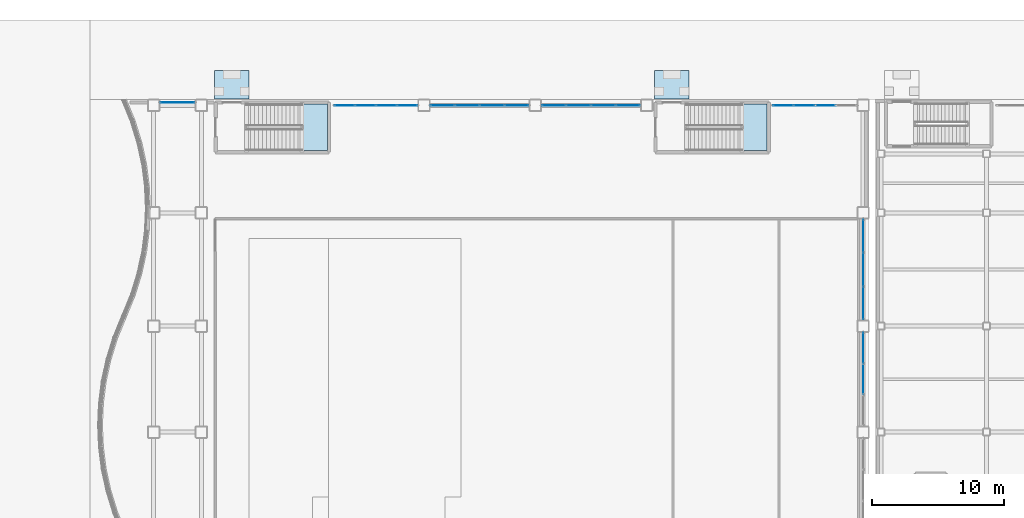
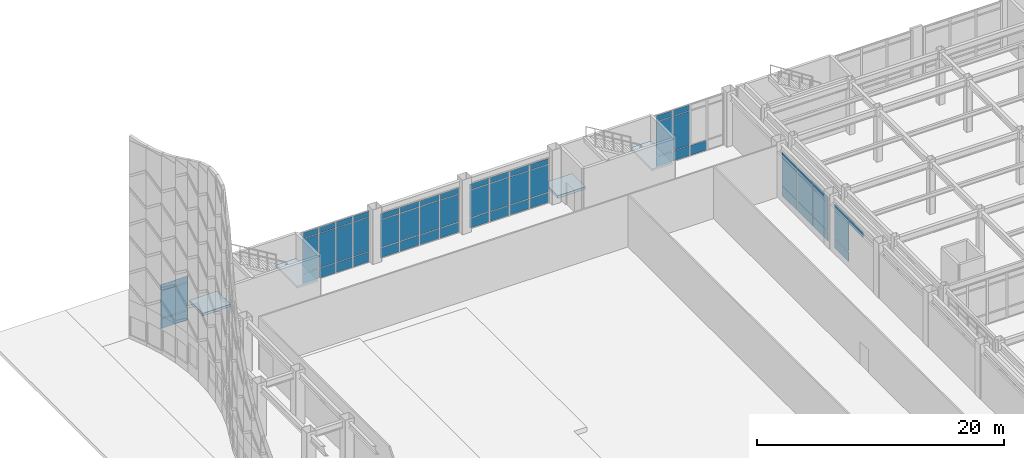
# One storey, part 116 of 165: 59 plates, 4 slabs, 9 elements without a shape of their own.
"""IFC4 building model written with IfcOpenShell, lengths in metres."""

from ifc_helpers import new_model, si_unit, direction, frame, origin, origin_2d, place, context, subcontext, project, spatial, polyline, rectangle, outline, extrude, material, layer, layer_set, type_object, element, aggregate, save


model = new_model("IFC4")

# Units and contexts
model_context = context("Model", 3, precision=1e-05, world=origin(), true_north=direction((0.0, 1.0)))
body_context = subcontext(model_context, "Body", "Model", "MODEL_VIEW")
ifc_project = project(units=[si_unit("LENGTHUNIT", "METRE"), si_unit("AREAUNIT", "SQUARE_METRE"), si_unit("VOLUMEUNIT", "CUBIC_METRE"), si_unit("PLANEANGLEUNIT", "RADIAN"), si_unit("MASSUNIT", "GRAM", prefix="KILO")], contexts=[model_context])

# Site, building, storey
site_placement = place(None, origin())
site = spatial("IfcSite", under=ifc_project, at=site_placement, CompositionType="ELEMENT")
building_placement = place(site_placement, origin())
building = spatial("IfcBuilding", under=site, at=building_placement, Name="Kazehara Bluff Congress Hotel", CompositionType="ELEMENT")
storey_placement = place(building_placement, origin())
storey = spatial("IfcBuildingStorey", under=building, at=storey_placement, Name="L00", CompositionType="ELEMENT", Elevation=0.0)

# Curtain wall, plates
ifc_material_1 = material(Name="Anodised aluminium", Category="aluminium")
ifc_layer_1 = layer(ifc_material_1, 0.159912109375)
ifc_layer_set_1 = layer_set([ifc_layer_1], Name="Anodised aluminium")
curtain_wall_type_1 = type_object("IfcCurtainWallType", Name="TP-CW-04", PredefinedType="NOTDEFINED", material=ifc_layer_set_1)
curtain_wall_1_placement = place(storey_placement, origin())
curtain_wall_1 = element("IfcCurtainWall", 1, at=curtain_wall_1_placement, inside=storey, type_object=curtain_wall_type_1, Name="L00 curtain wall CW-04 CW-V1-L00-Y11355-1840", PredefinedType="NOTDEFINED")
ifc_material_2 = material(Name="Insulated low-E double glazing", Category="glass")
ifc_layer_2 = layer(ifc_material_2, 0.031982421875)
ifc_layer_set_2 = layer_set([ifc_layer_2], Name="Insulated low-E double glazing")
plate_type = type_object("IfcPlateType", Name="TP-CWP-02", PredefinedType="CURTAIN_PANEL", material=ifc_layer_set_2)
plate_1_placement = place(storey_placement, frame((19.211181640625, 113.550048828125, 0.06005859375), z_axis=(0.0, 0.0, 1.0), x_axis=(1.0, 0.0, 0.0)))
plate_1 = element("IfcPlate", 2, at=plate_1_placement, type_object=plate_type, Name="CW-04 panel 1.1", PredefinedType="CURTAIN_PANEL", context=body_context, shape_type="SweptSolid", body=[
    extrude(rectangle(XDim=1.482421875, YDim=0.031982421875, at=origin_2d()), origin(), (0.0, 0.0, 1.0), 0.9599609375),
])
plate_2_placement = place(storey_placement, frame((19.211181640625, 113.550048828125, 1.080078125), z_axis=(0.0, 0.0, 1.0), x_axis=(1.0, 0.0, 0.0)))
plate_2 = element("IfcPlate", 3, at=plate_2_placement, type_object=plate_type, Name="CW-04 panel 1.2", PredefinedType="CURTAIN_PANEL", context=body_context, shape_type="SweptSolid", body=[
    extrude(rectangle(XDim=1.482421875, YDim=0.031982421875, at=origin_2d()), origin(), (0.0, 0.0, 1.0), 3.375),
])
plate_3_placement = place(storey_placement, frame((19.211181640625, 113.550048828125, 4.514892578125), z_axis=(0.0, 0.0, 1.0), x_axis=(1.0, 0.0, 0.0)))
plate_3 = element("IfcPlate", 4, at=plate_3_placement, type_object=plate_type, Name="CW-04 panel 1.3", PredefinedType="CURTAIN_PANEL", context=body_context, shape_type="SweptSolid", body=[
    extrude(rectangle(XDim=1.482421875, YDim=0.031982421875, at=origin_2d()), origin(), (0.0, 0.0, 1.0), 0.56005859375),
])
plate_4_placement = place(storey_placement, frame((20.78125, 113.550048828125, 0.06005859375), z_axis=(0.0, 0.0, 1.0), x_axis=(1.0, 0.0, 0.0)))
plate_4 = element("IfcPlate", 5, at=plate_4_placement, type_object=plate_type, Name="CW-04 panel 2.1", PredefinedType="CURTAIN_PANEL", context=body_context, shape_type="SweptSolid", body=[
    extrude(rectangle(XDim=1.517578125, YDim=0.031982421875, at=origin_2d()), origin(), (0.0, 0.0, 1.0), 0.9599609375),
])
plate_5_placement = place(storey_placement, frame((20.78125, 113.550048828125, 1.080078125), z_axis=(0.0, 0.0, 1.0), x_axis=(1.0, 0.0, 0.0)))
plate_5 = element("IfcPlate", 6, at=plate_5_placement, type_object=plate_type, Name="CW-04 panel 2.2", PredefinedType="CURTAIN_PANEL", context=body_context, shape_type="SweptSolid", body=[
    extrude(rectangle(XDim=1.517578125, YDim=0.031982421875, at=origin_2d()), origin(), (0.0, 0.0, 1.0), 3.375),
])
plate_6_placement = place(storey_placement, frame((20.78125, 113.550048828125, 4.514892578125), z_axis=(0.0, 0.0, 1.0), x_axis=(1.0, 0.0, 0.0)))
plate_6 = element("IfcPlate", 7, at=plate_6_placement, type_object=plate_type, Name="CW-04 panel 2.3", PredefinedType="CURTAIN_PANEL", context=body_context, shape_type="SweptSolid", body=[
    extrude(rectangle(XDim=1.517578125, YDim=0.031982421875, at=origin_2d()), origin(), (0.0, 0.0, 1.0), 0.56005859375),
])
plate_7_placement = place(storey_placement, frame((22.36865234375, 113.550048828125, 0.06005859375), z_axis=(0.0, 0.0, 1.0), x_axis=(1.0, 0.0, 0.0)))
plate_7 = element("IfcPlate", 8, at=plate_7_placement, type_object=plate_type, Name="CW-04 panel 3.1", PredefinedType="CURTAIN_PANEL", context=body_context, shape_type="SweptSolid", body=[
    extrude(rectangle(XDim=1.517578125, YDim=0.031982421875, at=origin_2d()), origin(), (0.0, 0.0, 1.0), 0.9599609375),
])
plate_8_placement = place(storey_placement, frame((22.36865234375, 113.550048828125, 1.080078125), z_axis=(0.0, 0.0, 1.0), x_axis=(1.0, 0.0, 0.0)))
plate_8 = element("IfcPlate", 9, at=plate_8_placement, type_object=plate_type, Name="CW-04 panel 3.2", PredefinedType="CURTAIN_PANEL", context=body_context, shape_type="SweptSolid", body=[
    extrude(rectangle(XDim=1.517578125, YDim=0.031982421875, at=origin_2d()), origin(), (0.0, 0.0, 1.0), 3.375),
])
plate_9_placement = place(storey_placement, frame((22.36865234375, 113.550048828125, 4.514892578125), z_axis=(0.0, 0.0, 1.0), x_axis=(1.0, 0.0, 0.0)))
plate_9 = element("IfcPlate", 10, at=plate_9_placement, type_object=plate_type, Name="CW-04 panel 3.3", PredefinedType="CURTAIN_PANEL", context=body_context, shape_type="SweptSolid", body=[
    extrude(rectangle(XDim=1.517578125, YDim=0.031982421875, at=origin_2d()), origin(), (0.0, 0.0, 1.0), 0.56005859375),
])
plate_10_placement = place(storey_placement, frame((23.938720703125, 113.550048828125, 0.06005859375), z_axis=(0.0, 0.0, 1.0), x_axis=(1.0, 0.0, 0.0)))
plate_10 = element("IfcPlate", 11, at=plate_10_placement, type_object=plate_type, Name="CW-04 panel 4.1", PredefinedType="CURTAIN_PANEL", context=body_context, shape_type="SweptSolid", body=[
    extrude(rectangle(XDim=1.482421875, YDim=0.031982421875, at=origin_2d()), origin(), (0.0, 0.0, 1.0), 0.9599609375),
])
plate_11_placement = place(storey_placement, frame((23.938720703125, 113.550048828125, 1.080078125), z_axis=(0.0, 0.0, 1.0), x_axis=(1.0, 0.0, 0.0)))
plate_11 = element("IfcPlate", 12, at=plate_11_placement, type_object=plate_type, Name="CW-04 panel 4.2", PredefinedType="CURTAIN_PANEL", context=body_context, shape_type="SweptSolid", body=[
    extrude(rectangle(XDim=1.482421875, YDim=0.031982421875, at=origin_2d()), origin(), (0.0, 0.0, 1.0), 3.375),
])
plate_12_placement = place(storey_placement, frame((23.938720703125, 113.550048828125, 4.514892578125), z_axis=(0.0, 0.0, 1.0), x_axis=(1.0, 0.0, 0.0)))
plate_12 = element("IfcPlate", 13, at=plate_12_placement, type_object=plate_type, Name="CW-04 panel 4.3", PredefinedType="CURTAIN_PANEL", context=body_context, shape_type="SweptSolid", body=[
    extrude(rectangle(XDim=1.482421875, YDim=0.031982421875, at=origin_2d()), origin(), (0.0, 0.0, 1.0), 0.56005859375),
])
aggregate(curtain_wall_1, [plate_1, plate_2, plate_3, plate_4, plate_5, plate_6, plate_7, plate_8, plate_9, plate_10, plate_11, plate_12])

ifc_material_3 = material(Name="Anodised aluminium", Category="aluminium")
ifc_layer_3 = layer(ifc_material_3, 0.159912109375)
ifc_layer_set_3 = layer_set([ifc_layer_3], Name="Anodised aluminium")
curtain_wall_type_2 = type_object("IfcCurtainWallType", Name="TP-CW-05", PredefinedType="NOTDEFINED", material=ifc_layer_set_3)
curtain_wall_2_placement = place(storey_placement, origin())
curtain_wall_2 = element("IfcCurtainWall", 14, at=curtain_wall_2_placement, inside=storey, type_object=curtain_wall_type_2, Name="L00 curtain wall CW-05 CW-V1-L00-Y11355-2565", PredefinedType="NOTDEFINED")
plate_13_placement = place(storey_placement, frame((26.60498046875, 113.550048828125, 0.06494140625), z_axis=(0.0, 0.0, 1.0), x_axis=(1.0, 0.0, 0.0)))
plate_13 = element("IfcPlate", 15, at=plate_13_placement, type_object=plate_type, Name="CW-05 panel 1.1", PredefinedType="CURTAIN_PANEL", context=body_context, shape_type="SweptSolid", body=[
    extrude(rectangle(XDim=1.77001953125, YDim=0.031982421875, at=origin_2d()), origin(), (0.0, 0.0, 1.0), 0.952392578125),
])
plate_14_placement = place(storey_placement, frame((26.60498046875, 113.550048828125, 1.08251953125), z_axis=(0.0, 0.0, 1.0), x_axis=(1.0, 0.0, 0.0)))
plate_14 = element("IfcPlate", 16, at=plate_14_placement, type_object=plate_type, Name="CW-05 panel 1.2", PredefinedType="CURTAIN_PANEL", context=body_context, shape_type="SweptSolid", body=[
    extrude(rectangle(XDim=1.77001953125, YDim=0.031982421875, at=origin_2d()), origin(), (0.0, 0.0, 1.0), 2.7099609375),
])
plate_15_placement = place(storey_placement, frame((26.60498046875, 113.550048828125, 3.857421875), z_axis=(0.0, 0.0, 1.0), x_axis=(1.0, 0.0, 0.0)))
plate_15 = element("IfcPlate", 17, at=plate_15_placement, type_object=plate_type, Name="CW-05 panel 1.3", PredefinedType="CURTAIN_PANEL", context=body_context, shape_type="SweptSolid", body=[
    extrude(rectangle(XDim=1.77001953125, YDim=0.031982421875, at=origin_2d()), origin(), (0.0, 0.0, 1.0), 0.552490234375),
])
plate_16_placement = place(storey_placement, frame((28.46240234375, 113.550048828125, 0.06494140625), z_axis=(0.0, 0.0, 1.0), x_axis=(1.0, 0.0, 0.0)))
plate_16 = element("IfcPlate", 18, at=plate_16_placement, type_object=plate_type, Name="CW-05 panel 2.1", PredefinedType="CURTAIN_PANEL", context=body_context, shape_type="SweptSolid", body=[
    extrude(rectangle(XDim=1.804931640625, YDim=0.031982421875, at=origin_2d()), origin(), (0.0, 0.0, 1.0), 0.952392578125),
])
plate_17_placement = place(storey_placement, frame((28.46240234375, 113.550048828125, 1.08251953125), z_axis=(0.0, 0.0, 1.0), x_axis=(1.0, 0.0, 0.0)))
plate_17 = element("IfcPlate", 19, at=plate_17_placement, type_object=plate_type, Name="CW-05 panel 2.2", PredefinedType="CURTAIN_PANEL", context=body_context, shape_type="SweptSolid", body=[
    extrude(rectangle(XDim=1.804931640625, YDim=0.031982421875, at=origin_2d()), origin(), (0.0, 0.0, 1.0), 2.7099609375),
])
plate_18_placement = place(storey_placement, frame((28.46240234375, 113.550048828125, 3.857421875), z_axis=(0.0, 0.0, 1.0), x_axis=(1.0, 0.0, 0.0)))
plate_18 = element("IfcPlate", 20, at=plate_18_placement, type_object=plate_type, Name="CW-05 panel 2.3", PredefinedType="CURTAIN_PANEL", context=body_context, shape_type="SweptSolid", body=[
    extrude(rectangle(XDim=1.804931640625, YDim=0.031982421875, at=origin_2d()), origin(), (0.0, 0.0, 1.0), 0.552490234375),
])
plate_19_placement = place(storey_placement, frame((30.33740234375, 113.550048828125, 0.06494140625), z_axis=(0.0, 0.0, 1.0), x_axis=(1.0, 0.0, 0.0)))
plate_19 = element("IfcPlate", 21, at=plate_19_placement, type_object=plate_type, Name="CW-05 panel 3.1", PredefinedType="CURTAIN_PANEL", context=body_context, shape_type="SweptSolid", body=[
    extrude(rectangle(XDim=1.804931640625, YDim=0.031982421875, at=origin_2d()), origin(), (0.0, 0.0, 1.0), 0.952392578125),
])
plate_20_placement = place(storey_placement, frame((30.33740234375, 113.550048828125, 1.08251953125), z_axis=(0.0, 0.0, 1.0), x_axis=(1.0, 0.0, 0.0)))
plate_20 = element("IfcPlate", 22, at=plate_20_placement, type_object=plate_type, Name="CW-05 panel 3.2", PredefinedType="CURTAIN_PANEL", context=body_context, shape_type="SweptSolid", body=[
    extrude(rectangle(XDim=1.804931640625, YDim=0.031982421875, at=origin_2d()), origin(), (0.0, 0.0, 1.0), 2.7099609375),
])
plate_21_placement = place(storey_placement, frame((30.33740234375, 113.550048828125, 3.857421875), z_axis=(0.0, 0.0, 1.0), x_axis=(1.0, 0.0, 0.0)))
plate_21 = element("IfcPlate", 23, at=plate_21_placement, type_object=plate_type, Name="CW-05 panel 3.3", PredefinedType="CURTAIN_PANEL", context=body_context, shape_type="SweptSolid", body=[
    extrude(rectangle(XDim=1.804931640625, YDim=0.031982421875, at=origin_2d()), origin(), (0.0, 0.0, 1.0), 0.552490234375),
])
plate_22_placement = place(storey_placement, frame((32.195068359375, 113.550048828125, 0.06494140625), z_axis=(0.0, 0.0, 1.0), x_axis=(1.0, 0.0, 0.0)))
plate_22 = element("IfcPlate", 24, at=plate_22_placement, type_object=plate_type, Name="CW-05 panel 4.1", PredefinedType="CURTAIN_PANEL", context=body_context, shape_type="SweptSolid", body=[
    extrude(rectangle(XDim=1.77001953125, YDim=0.031982421875, at=origin_2d()), origin(), (0.0, 0.0, 1.0), 0.952392578125),
])
plate_23_placement = place(storey_placement, frame((32.195068359375, 113.550048828125, 1.08251953125), z_axis=(0.0, 0.0, 1.0), x_axis=(1.0, 0.0, 0.0)))
plate_23 = element("IfcPlate", 25, at=plate_23_placement, type_object=plate_type, Name="CW-05 panel 4.2", PredefinedType="CURTAIN_PANEL", context=body_context, shape_type="SweptSolid", body=[
    extrude(rectangle(XDim=1.77001953125, YDim=0.031982421875, at=origin_2d()), origin(), (0.0, 0.0, 1.0), 2.7099609375),
])
plate_24_placement = place(storey_placement, frame((32.195068359375, 113.550048828125, 3.857421875), z_axis=(0.0, 0.0, 1.0), x_axis=(1.0, 0.0, 0.0)))
plate_24 = element("IfcPlate", 26, at=plate_24_placement, type_object=plate_type, Name="CW-05 panel 4.3", PredefinedType="CURTAIN_PANEL", context=body_context, shape_type="SweptSolid", body=[
    extrude(rectangle(XDim=1.77001953125, YDim=0.031982421875, at=origin_2d()), origin(), (0.0, 0.0, 1.0), 0.552490234375),
])
aggregate(curtain_wall_2, [plate_13, plate_14, plate_15, plate_16, plate_17, plate_18, plate_19, plate_20, plate_21, plate_22, plate_23, plate_24])

curtain_wall_3_placement = place(storey_placement, origin())
curtain_wall_3 = element("IfcCurtainWall", 27, at=curtain_wall_3_placement, inside=storey, type_object=curtain_wall_type_2, Name="L00 curtain wall CW-05 CW-V1-L00-Y11355-3405", PredefinedType="NOTDEFINED")
plate_25_placement = place(storey_placement, frame((35.0048828125, 113.550048828125, 0.06494140625), z_axis=(0.0, 0.0, 1.0), x_axis=(1.0, 0.0, 0.0)))
plate_25 = element("IfcPlate", 28, at=plate_25_placement, type_object=plate_type, Name="CW-05 panel 1.1", PredefinedType="CURTAIN_PANEL", context=body_context, shape_type="SweptSolid", body=[
    extrude(rectangle(XDim=1.77001953125, YDim=0.031982421875, at=origin_2d()), origin(), (0.0, 0.0, 1.0), 0.952392578125),
])
plate_26_placement = place(storey_placement, frame((35.0048828125, 113.550048828125, 1.08251953125), z_axis=(0.0, 0.0, 1.0), x_axis=(1.0, 0.0, 0.0)))
plate_26 = element("IfcPlate", 29, at=plate_26_placement, type_object=plate_type, Name="CW-05 panel 1.2", PredefinedType="CURTAIN_PANEL", context=body_context, shape_type="SweptSolid", body=[
    extrude(rectangle(XDim=1.77001953125, YDim=0.031982421875, at=origin_2d()), origin(), (0.0, 0.0, 1.0), 2.7099609375),
])
plate_27_placement = place(storey_placement, frame((35.0048828125, 113.550048828125, 3.857421875), z_axis=(0.0, 0.0, 1.0), x_axis=(1.0, 0.0, 0.0)))
plate_27 = element("IfcPlate", 30, at=plate_27_placement, type_object=plate_type, Name="CW-05 panel 1.3", PredefinedType="CURTAIN_PANEL", context=body_context, shape_type="SweptSolid", body=[
    extrude(rectangle(XDim=1.77001953125, YDim=0.031982421875, at=origin_2d()), origin(), (0.0, 0.0, 1.0), 0.552490234375),
])
plate_28_placement = place(storey_placement, frame((36.862548828125, 113.550048828125, 0.06494140625), z_axis=(0.0, 0.0, 1.0), x_axis=(1.0, 0.0, 0.0)))
plate_28 = element("IfcPlate", 31, at=plate_28_placement, type_object=plate_type, Name="CW-05 panel 2.1", PredefinedType="CURTAIN_PANEL", context=body_context, shape_type="SweptSolid", body=[
    extrude(rectangle(XDim=1.804931640625, YDim=0.031982421875, at=origin_2d()), origin(), (0.0, 0.0, 1.0), 0.952392578125),
])
plate_29_placement = place(storey_placement, frame((36.862548828125, 113.550048828125, 1.08251953125), z_axis=(0.0, 0.0, 1.0), x_axis=(1.0, 0.0, 0.0)))
plate_29 = element("IfcPlate", 32, at=plate_29_placement, type_object=plate_type, Name="CW-05 panel 2.2", PredefinedType="CURTAIN_PANEL", context=body_context, shape_type="SweptSolid", body=[
    extrude(rectangle(XDim=1.804931640625, YDim=0.031982421875, at=origin_2d()), origin(), (0.0, 0.0, 1.0), 2.7099609375),
])
plate_30_placement = place(storey_placement, frame((36.862548828125, 113.550048828125, 3.857421875), z_axis=(0.0, 0.0, 1.0), x_axis=(1.0, 0.0, 0.0)))
plate_30 = element("IfcPlate", 33, at=plate_30_placement, type_object=plate_type, Name="CW-05 panel 2.3", PredefinedType="CURTAIN_PANEL", context=body_context, shape_type="SweptSolid", body=[
    extrude(rectangle(XDim=1.804931640625, YDim=0.031982421875, at=origin_2d()), origin(), (0.0, 0.0, 1.0), 0.552490234375),
])
plate_31_placement = place(storey_placement, frame((38.737548828125, 113.550048828125, 0.06494140625), z_axis=(0.0, 0.0, 1.0), x_axis=(1.0, 0.0, 0.0)))
plate_31 = element("IfcPlate", 34, at=plate_31_placement, type_object=plate_type, Name="CW-05 panel 3.1", PredefinedType="CURTAIN_PANEL", context=body_context, shape_type="SweptSolid", body=[
    extrude(rectangle(XDim=1.804931640625, YDim=0.031982421875, at=origin_2d()), origin(), (0.0, 0.0, 1.0), 0.952392578125),
])
plate_32_placement = place(storey_placement, frame((38.737548828125, 113.550048828125, 1.08251953125), z_axis=(0.0, 0.0, 1.0), x_axis=(1.0, 0.0, 0.0)))
plate_32 = element("IfcPlate", 35, at=plate_32_placement, type_object=plate_type, Name="CW-05 panel 3.2", PredefinedType="CURTAIN_PANEL", context=body_context, shape_type="SweptSolid", body=[
    extrude(rectangle(XDim=1.804931640625, YDim=0.031982421875, at=origin_2d()), origin(), (0.0, 0.0, 1.0), 2.7099609375),
])
plate_33_placement = place(storey_placement, frame((38.737548828125, 113.550048828125, 3.857421875), z_axis=(0.0, 0.0, 1.0), x_axis=(1.0, 0.0, 0.0)))
plate_33 = element("IfcPlate", 36, at=plate_33_placement, type_object=plate_type, Name="CW-05 panel 3.3", PredefinedType="CURTAIN_PANEL", context=body_context, shape_type="SweptSolid", body=[
    extrude(rectangle(XDim=1.804931640625, YDim=0.031982421875, at=origin_2d()), origin(), (0.0, 0.0, 1.0), 0.552490234375),
])
plate_34_placement = place(storey_placement, frame((40.594970703125, 113.550048828125, 0.06494140625), z_axis=(0.0, 0.0, 1.0), x_axis=(1.0, 0.0, 0.0)))
plate_34 = element("IfcPlate", 37, at=plate_34_placement, type_object=plate_type, Name="CW-05 panel 4.1", PredefinedType="CURTAIN_PANEL", context=body_context, shape_type="SweptSolid", body=[
    extrude(rectangle(XDim=1.77001953125, YDim=0.031982421875, at=origin_2d()), origin(), (0.0, 0.0, 1.0), 0.952392578125),
])
plate_35_placement = place(storey_placement, frame((40.594970703125, 113.550048828125, 1.08251953125), z_axis=(0.0, 0.0, 1.0), x_axis=(1.0, 0.0, 0.0)))
plate_35 = element("IfcPlate", 38, at=plate_35_placement, type_object=plate_type, Name="CW-05 panel 4.2", PredefinedType="CURTAIN_PANEL", context=body_context, shape_type="SweptSolid", body=[
    extrude(rectangle(XDim=1.77001953125, YDim=0.031982421875, at=origin_2d()), origin(), (0.0, 0.0, 1.0), 2.7099609375),
])
plate_36_placement = place(storey_placement, frame((40.594970703125, 113.550048828125, 3.857421875), z_axis=(0.0, 0.0, 1.0), x_axis=(1.0, 0.0, 0.0)))
plate_36 = element("IfcPlate", 39, at=plate_36_placement, type_object=plate_type, Name="CW-05 panel 4.3", PredefinedType="CURTAIN_PANEL", context=body_context, shape_type="SweptSolid", body=[
    extrude(rectangle(XDim=1.77001953125, YDim=0.031982421875, at=origin_2d()), origin(), (0.0, 0.0, 1.0), 0.552490234375),
])
aggregate(curtain_wall_3, [plate_25, plate_26, plate_27, plate_28, plate_29, plate_30, plate_31, plate_32, plate_33, plate_34, plate_35, plate_36])

ifc_material_4 = material(Name="Anodised aluminium", Category="aluminium")
ifc_layer_4 = layer(ifc_material_4, 0.159912109375)
ifc_layer_set_4 = layer_set([ifc_layer_4], Name="Anodised aluminium")
curtain_wall_type_3 = type_object("IfcCurtainWallType", Name="TP-CW-06", PredefinedType="NOTDEFINED", material=ifc_layer_set_4)
curtain_wall_4_placement = place(storey_placement, origin())
curtain_wall_4 = element("IfcCurtainWall", 40, at=curtain_wall_4_placement, inside=storey, type_object=curtain_wall_type_3, Name="L00 curtain wall CW-06 CW-V1-L00-Y11355-5150", PredefinedType="NOTDEFINED")
plate_37_placement = place(storey_placement, frame((52.3173828125, 113.550048828125, 0.06005859375), z_axis=(0.0, 0.0, 1.0), x_axis=(1.0, 0.0, 0.0)))
plate_37 = element("IfcPlate", 41, at=plate_37_placement, type_object=plate_type, Name="CW-06 panel 1.1", PredefinedType="CURTAIN_PANEL", context=body_context, shape_type="SweptSolid", body=[
    extrude(rectangle(XDim=1.4951171875, YDim=0.031982421875, at=origin_2d()), origin(), (0.0, 0.0, 1.0), 0.9599609375),
])
plate_38_placement = place(storey_placement, frame((52.3173828125, 113.550048828125, 1.080078125), z_axis=(0.0, 0.0, 1.0), x_axis=(1.0, 0.0, 0.0)))
plate_38 = element("IfcPlate", 42, at=plate_38_placement, type_object=plate_type, Name="CW-06 panel 1.2", PredefinedType="CURTAIN_PANEL", context=body_context, shape_type="SweptSolid", body=[
    extrude(rectangle(XDim=1.4951171875, YDim=0.031982421875, at=origin_2d()), origin(), (0.0, 0.0, 1.0), 3.375),
])
plate_39_placement = place(storey_placement, frame((52.3173828125, 113.550048828125, 4.514892578125), z_axis=(0.0, 0.0, 1.0), x_axis=(1.0, 0.0, 0.0)))
plate_39 = element("IfcPlate", 43, at=plate_39_placement, type_object=plate_type, Name="CW-06 panel 1.3", PredefinedType="CURTAIN_PANEL", context=body_context, shape_type="SweptSolid", body=[
    extrude(rectangle(XDim=1.4951171875, YDim=0.031982421875, at=origin_2d()), origin(), (0.0, 0.0, 1.0), 0.56005859375),
])
plate_40_placement = place(storey_placement, frame((53.89990234375, 113.550048828125, 0.06005859375), z_axis=(0.0, 0.0, 1.0), x_axis=(1.0, 0.0, 0.0)))
plate_40 = element("IfcPlate", 44, at=plate_40_placement, type_object=plate_type, Name="CW-06 panel 2.1", PredefinedType="CURTAIN_PANEL", context=body_context, shape_type="SweptSolid", body=[
    extrude(rectangle(XDim=1.530029296875, YDim=0.031982421875, at=origin_2d()), origin(), (0.0, 0.0, 1.0), 0.9599609375),
])
plate_41_placement = place(storey_placement, frame((53.89990234375, 113.550048828125, 1.080078125), z_axis=(0.0, 0.0, 1.0), x_axis=(1.0, 0.0, 0.0)))
plate_41 = element("IfcPlate", 45, at=plate_41_placement, type_object=plate_type, Name="CW-06 panel 2.2", PredefinedType="CURTAIN_PANEL", context=body_context, shape_type="SweptSolid", body=[
    extrude(rectangle(XDim=1.530029296875, YDim=0.031982421875, at=origin_2d()), origin(), (0.0, 0.0, 1.0), 3.375),
])
plate_42_placement = place(storey_placement, frame((53.89990234375, 113.550048828125, 4.514892578125), z_axis=(0.0, 0.0, 1.0), x_axis=(1.0, 0.0, 0.0)))
plate_42 = element("IfcPlate", 46, at=plate_42_placement, type_object=plate_type, Name="CW-06 panel 2.3", PredefinedType="CURTAIN_PANEL", context=body_context, shape_type="SweptSolid", body=[
    extrude(rectangle(XDim=1.530029296875, YDim=0.031982421875, at=origin_2d()), origin(), (0.0, 0.0, 1.0), 0.56005859375),
])
plate_43_placement = place(storey_placement, frame((55.5, 113.550048828125, 0.06005859375), z_axis=(0.0, 0.0, 1.0), x_axis=(1.0, 0.0, 0.0)))
plate_43 = element("IfcPlate", 47, at=plate_43_placement, type_object=plate_type, Name="CW-06 panel 3.1", PredefinedType="CURTAIN_PANEL", context=body_context, shape_type="SweptSolid", body=[
    extrude(rectangle(XDim=1.530029296875, YDim=0.031982421875, at=origin_2d()), origin(), (0.0, 0.0, 1.0), 0.9599609375),
])
aggregate(curtain_wall_4, [plate_37, plate_38, plate_39, plate_40, plate_41, plate_42, plate_43])

ifc_material_5 = material(Name="Anodised aluminium", Category="aluminium")
ifc_layer_5 = layer(ifc_material_5, 0.159912109375)
ifc_layer_set_5 = layer_set([ifc_layer_5], Name="Anodised aluminium")
curtain_wall_type_4 = type_object("IfcCurtainWallType", Name="TP-CW-17", PredefinedType="NOTDEFINED", material=ifc_layer_set_5)
curtain_wall_5_placement = place(storey_placement, origin())
curtain_wall_5 = element("IfcCurtainWall", 48, at=curtain_wall_5_placement, inside=storey, type_object=curtain_wall_type_4, Name="L00 curtain wall CW-17 CW-V1-L00-X5835-8935", PredefinedType="NOTDEFINED")
plate_44_placement = place(storey_placement, frame((58.35009765625, 92.89990234375, 3.857421875), z_axis=(0.0, 0.0, 1.0), x_axis=(0.0, 1.0, 0.0)))
plate_44 = element("IfcPlate", 49, at=plate_44_placement, type_object=plate_type, Name="CW-17 panel 2.3", PredefinedType="CURTAIN_PANEL", context=body_context, shape_type="SweptSolid", body=[
    extrude(rectangle(XDim=2.296630859375, YDim=0.031982421875, at=origin_2d()), origin(), (0.0, 0.0, 1.0), 0.552490234375),
])
plate_45_placement = place(storey_placement, frame((58.35009765625, 95.249267578125, 0.06494140625), z_axis=(0.0, 0.0, 1.0), x_axis=(0.0, 1.0, 0.0)))
plate_45 = element("IfcPlate", 50, at=plate_45_placement, type_object=plate_type, Name="CW-17 panel 3.1", PredefinedType="CURTAIN_PANEL", context=body_context, shape_type="SweptSolid", body=[
    extrude(rectangle(XDim=2.26171875, YDim=0.031982421875, at=origin_2d()), origin(), (0.0, 0.0, 1.0), 0.952392578125),
])
plate_46_placement = place(storey_placement, frame((58.35009765625, 95.249267578125, 1.08251953125), z_axis=(0.0, 0.0, 1.0), x_axis=(0.0, 1.0, 0.0)))
plate_46 = element("IfcPlate", 51, at=plate_46_placement, type_object=plate_type, Name="CW-17 panel 3.2", PredefinedType="CURTAIN_PANEL", context=body_context, shape_type="SweptSolid", body=[
    extrude(rectangle(XDim=2.26171875, YDim=0.031982421875, at=origin_2d()), origin(), (0.0, 0.0, 1.0), 2.7099609375),
])
plate_47_placement = place(storey_placement, frame((58.35009765625, 95.249267578125, 3.857421875), z_axis=(0.0, 0.0, 1.0), x_axis=(0.0, 1.0, 0.0)))
plate_47 = element("IfcPlate", 52, at=plate_47_placement, type_object=plate_type, Name="CW-17 panel 3.3", PredefinedType="CURTAIN_PANEL", context=body_context, shape_type="SweptSolid", body=[
    extrude(rectangle(XDim=2.26171875, YDim=0.031982421875, at=origin_2d()), origin(), (0.0, 0.0, 1.0), 0.552490234375),
])
aggregate(curtain_wall_5, [plate_44, plate_45, plate_46, plate_47])

ifc_material_6 = material(Name="Anodised aluminium", Category="aluminium")
ifc_layer_6 = layer(ifc_material_6, 0.159912109375)
ifc_layer_set_6 = layer_set([ifc_layer_6], Name="Anodised aluminium")
curtain_wall_type_5 = type_object("IfcCurtainWallType", Name="TP-CW-19", PredefinedType="NOTDEFINED", material=ifc_layer_set_6)
curtain_wall_6_placement = place(storey_placement, origin())
curtain_wall_6 = element("IfcCurtainWall", 53, at=curtain_wall_6_placement, inside=storey, type_object=curtain_wall_type_5, Name="L00 curtain wall CW-19 CW-V1-L00-X5835-9735", PredefinedType="NOTDEFINED")
plate_48_placement = place(storey_placement, frame((58.35009765625, 98.642578125, 0.06494140625), z_axis=(0.0, 0.0, 1.0), x_axis=(0.0, 1.0, 0.0)))
plate_48 = element("IfcPlate", 54, at=plate_48_placement, type_object=plate_type, Name="CW-19 panel 1.1", PredefinedType="CURTAIN_PANEL", context=body_context, shape_type="SweptSolid", body=[
    extrude(rectangle(XDim=2.445068359375, YDim=0.031982421875, at=origin_2d()), origin(), (0.0, 0.0, 1.0), 0.952392578125),
])
plate_49_placement = place(storey_placement, frame((58.35009765625, 98.642578125, 1.08251953125), z_axis=(0.0, 0.0, 1.0), x_axis=(0.0, 1.0, 0.0)))
plate_49 = element("IfcPlate", 55, at=plate_49_placement, type_object=plate_type, Name="CW-19 panel 1.2", PredefinedType="CURTAIN_PANEL", context=body_context, shape_type="SweptSolid", body=[
    extrude(rectangle(XDim=2.445068359375, YDim=0.031982421875, at=origin_2d()), origin(), (0.0, 0.0, 1.0), 2.7099609375),
])
plate_50_placement = place(storey_placement, frame((58.35009765625, 98.642578125, 3.857421875), z_axis=(0.0, 0.0, 1.0), x_axis=(0.0, 1.0, 0.0)))
plate_50 = element("IfcPlate", 56, at=plate_50_placement, type_object=plate_type, Name="CW-19 panel 1.3", PredefinedType="CURTAIN_PANEL", context=body_context, shape_type="SweptSolid", body=[
    extrude(rectangle(XDim=2.445068359375, YDim=0.031982421875, at=origin_2d()), origin(), (0.0, 0.0, 1.0), 0.552490234375),
])
plate_51_placement = place(storey_placement, frame((58.35009765625, 101.175048828125, 0.06494140625), z_axis=(0.0, 0.0, 1.0), x_axis=(0.0, 1.0, 0.0)))
plate_51 = element("IfcPlate", 57, at=plate_51_placement, type_object=plate_type, Name="CW-19 panel 2.1", PredefinedType="CURTAIN_PANEL", context=body_context, shape_type="SweptSolid", body=[
    extrude(rectangle(XDim=2.47998046875, YDim=0.031982421875, at=origin_2d()), origin(), (0.0, 0.0, 1.0), 0.952392578125),
])
plate_52_placement = place(storey_placement, frame((58.35009765625, 101.175048828125, 1.08251953125), z_axis=(0.0, 0.0, 1.0), x_axis=(0.0, 1.0, 0.0)))
plate_52 = element("IfcPlate", 58, at=plate_52_placement, type_object=plate_type, Name="CW-19 panel 2.2", PredefinedType="CURTAIN_PANEL", context=body_context, shape_type="SweptSolid", body=[
    extrude(rectangle(XDim=2.47998046875, YDim=0.031982421875, at=origin_2d()), origin(), (0.0, 0.0, 1.0), 2.7099609375),
])
plate_53_placement = place(storey_placement, frame((58.35009765625, 101.175048828125, 3.857421875), z_axis=(0.0, 0.0, 1.0), x_axis=(0.0, 1.0, 0.0)))
plate_53 = element("IfcPlate", 59, at=plate_53_placement, type_object=plate_type, Name="CW-19 panel 2.3", PredefinedType="CURTAIN_PANEL", context=body_context, shape_type="SweptSolid", body=[
    extrude(rectangle(XDim=2.47998046875, YDim=0.031982421875, at=origin_2d()), origin(), (0.0, 0.0, 1.0), 0.552490234375),
])
plate_54_placement = place(storey_placement, frame((58.35009765625, 103.70751953125, 0.06494140625), z_axis=(0.0, 0.0, 1.0), x_axis=(0.0, 1.0, 0.0)))
plate_54 = element("IfcPlate", 60, at=plate_54_placement, type_object=plate_type, Name="CW-19 panel 3.1", PredefinedType="CURTAIN_PANEL", context=body_context, shape_type="SweptSolid", body=[
    extrude(rectangle(XDim=2.445068359375, YDim=0.031982421875, at=origin_2d()), origin(), (0.0, 0.0, 1.0), 0.952392578125),
])
plate_55_placement = place(storey_placement, frame((58.35009765625, 103.70751953125, 1.08251953125), z_axis=(0.0, 0.0, 1.0), x_axis=(0.0, 1.0, 0.0)))
plate_55 = element("IfcPlate", 61, at=plate_55_placement, type_object=plate_type, Name="CW-19 panel 3.2", PredefinedType="CURTAIN_PANEL", context=body_context, shape_type="SweptSolid", body=[
    extrude(rectangle(XDim=2.445068359375, YDim=0.031982421875, at=origin_2d()), origin(), (0.0, 0.0, 1.0), 2.7099609375),
])
plate_56_placement = place(storey_placement, frame((58.35009765625, 103.70751953125, 3.857421875), z_axis=(0.0, 0.0, 1.0), x_axis=(0.0, 1.0, 0.0)))
plate_56 = element("IfcPlate", 62, at=plate_56_placement, type_object=plate_type, Name="CW-19 panel 3.3", PredefinedType="CURTAIN_PANEL", context=body_context, shape_type="SweptSolid", body=[
    extrude(rectangle(XDim=2.445068359375, YDim=0.031982421875, at=origin_2d()), origin(), (0.0, 0.0, 1.0), 0.552490234375),
])
aggregate(curtain_wall_6, [plate_48, plate_49, plate_50, plate_51, plate_52, plate_53, plate_54, plate_55, plate_56])

ifc_material_7 = material(Name="Anodised aluminium", Category="aluminium")
ifc_layer_7 = layer(ifc_material_7, 0.159912109375)
ifc_layer_set_7 = layer_set([ifc_layer_7], Name="Anodised aluminium")
curtain_wall_type_6 = type_object("IfcCurtainWallType", Name="TP-CW-94", PredefinedType="NOTDEFINED", material=ifc_layer_set_7)
curtain_wall_7_placement = place(storey_placement, origin())
curtain_wall_7 = element("IfcCurtainWall", 63, at=curtain_wall_7_placement, inside=storey, type_object=curtain_wall_type_6, Name="L00 curtain wall CW-94 CW-ENC-V1-L00-660-11378", PredefinedType="NOTDEFINED")
plate_57_placement = place(storey_placement, frame((6.60009765625, 113.780029296875, 0.06005859375), z_axis=(0.0, 0.0, 1.0), x_axis=(1.0, 0.0, 0.0)))
plate_57 = element("IfcPlate", 64, at=plate_57_placement, type_object=plate_type, Name="CW-94 panel 1.1", PredefinedType="CURTAIN_PANEL", context=body_context, shape_type="SweptSolid", body=[
    extrude(rectangle(XDim=2.56005859375, YDim=0.031982421875, at=origin_2d()), origin(), (0.0, 0.0, 1.0), 0.9599609375),
])
plate_58_placement = place(storey_placement, frame((6.60009765625, 113.780029296875, 1.080078125), z_axis=(0.0, 0.0, 1.0), x_axis=(1.0, 0.0, 0.0)))
plate_58 = element("IfcPlate", 65, at=plate_58_placement, type_object=plate_type, Name="CW-94 panel 1.2", PredefinedType="CURTAIN_PANEL", context=body_context, shape_type="SweptSolid", body=[
    extrude(rectangle(XDim=2.56005859375, YDim=0.031982421875, at=origin_2d()), origin(), (0.0, 0.0, 1.0), 2.715087890625),
])
plate_59_placement = place(storey_placement, frame((6.60009765625, 113.780029296875, 3.85498046875), z_axis=(0.0, 0.0, 1.0), x_axis=(1.0, 0.0, 0.0)))
plate_59 = element("IfcPlate", 66, at=plate_59_placement, type_object=plate_type, Name="CW-94 panel 1.3", PredefinedType="CURTAIN_PANEL", context=body_context, shape_type="SweptSolid", body=[
    extrude(rectangle(XDim=2.56005859375, YDim=0.031982421875, at=origin_2d()), origin(), (0.0, 0.0, 1.0), 0.56005859375),
])
aggregate(curtain_wall_7, [plate_57, plate_58, plate_59])

# Slabs
ifc_material_8 = material(Name="Concrete C36/45", Category="concrete")
ifc_layer_8 = layer(ifc_material_8, 0.25)
ifc_layer_set_8 = layer_set([ifc_layer_8], Name="Concrete C36/45")
slab_type_1 = type_object("IfcSlabType", Name="TP-SL-250", PredefinedType="FLOOR", material=ifc_layer_set_8)
slab_1_placement = place(storey_placement, frame((0.0, 0.0, -0.25)))
element("IfcSlab", 67, at=slab_1_placement, inside=storey, type_object=slab_type_1, Name="Escape Stair ST-01 exterior exit threshold slab", PredefinedType="FLOOR", context=body_context, shape_type="SweptSolid", body=[
    extrude(outline(polyline([(9.39990234375, 114.02001953125), (12.0, 114.02001953125), (12.0, 116.199951171875), (9.39990234375, 116.199951171875), (9.39990234375, 114.02001953125)])), origin(), (0.0, 0.0, 1.0), 0.25),
])
slab_2_placement = place(storey_placement, frame((0.0, 0.0, -0.25)))
element("IfcSlab", 68, at=slab_2_placement, inside=storey, type_object=slab_type_1, Name="Escape Stair ST-02 exterior exit threshold slab", PredefinedType="FLOOR", context=body_context, shape_type="SweptSolid", body=[
    extrude(outline(polyline([(42.60009765625, 114.02001953125), (45.199951171875, 114.02001953125), (45.199951171875, 116.199951171875), (42.60009765625, 116.199951171875), (42.60009765625, 114.02001953125)])), origin(), (0.0, 0.0, 1.0), 0.25),
])

# Stair, slab
ifc_material_9 = material(Name="Concrete C36/45", Category="concrete")
stair_type = type_object("IfcStairType", Name="TP-ST-T01", PredefinedType="HALF_TURN_STAIR", material=ifc_material_9)
stair_1_placement = place(storey_placement, origin())
stair_1 = element("IfcStair", 69, at=stair_1_placement, inside=storey, type_object=stair_type, Name="L00 Escape stair ST-01", PredefinedType="HALF_TURN_STAIR")
ifc_material_10 = material(Name="Concrete C36/45", Category="concrete")
ifc_layer_9 = layer(ifc_material_10, 0.199951171875)
ifc_layer_set_9 = layer_set([ifc_layer_9], Name="Concrete C36/45")
slab_type_2 = type_object("IfcSlabType", Name="TP-SLD-200", PredefinedType="LANDING", material=ifc_layer_set_9)
slab_3_placement = place(storey_placement, frame((0.0, 0.0, 2.5)))
slab_3 = element("IfcSlab", 70, at=slab_3_placement, type_object=slab_type_2, Name="ST-01 landing 1", PredefinedType="LANDING", context=body_context, shape_type="SweptSolid", body=[
    extrude(outline(polyline([(16.0, 110.14990234375), (17.89990234375, 110.14990234375), (17.89990234375, 113.64990234375), (16.0, 113.64990234375), (16.0, 110.14990234375)])), origin(), (0.0, 0.0, 1.0), 0.199951171875),
])
aggregate(stair_1, [slab_3])

stair_2_placement = place(storey_placement, origin())
stair_2 = element("IfcStair", 71, at=stair_2_placement, inside=storey, type_object=stair_type, Name="L00 Escape stair ST-02", PredefinedType="HALF_TURN_STAIR")
slab_4_placement = place(storey_placement, frame((0.0, 0.0, 2.5)))
slab_4 = element("IfcSlab", 72, at=slab_4_placement, type_object=slab_type_2, Name="ST-02 landing 1", PredefinedType="LANDING", context=body_context, shape_type="SweptSolid", body=[
    extrude(outline(polyline([(49.199951171875, 110.14990234375), (51.10009765625, 110.14990234375), (51.10009765625, 113.64990234375), (49.199951171875, 113.64990234375), (49.199951171875, 110.14990234375)])), origin(), (0.0, 0.0, 1.0), 0.199951171875),
])
aggregate(stair_2, [slab_4])

save(model, "model.ifc")
